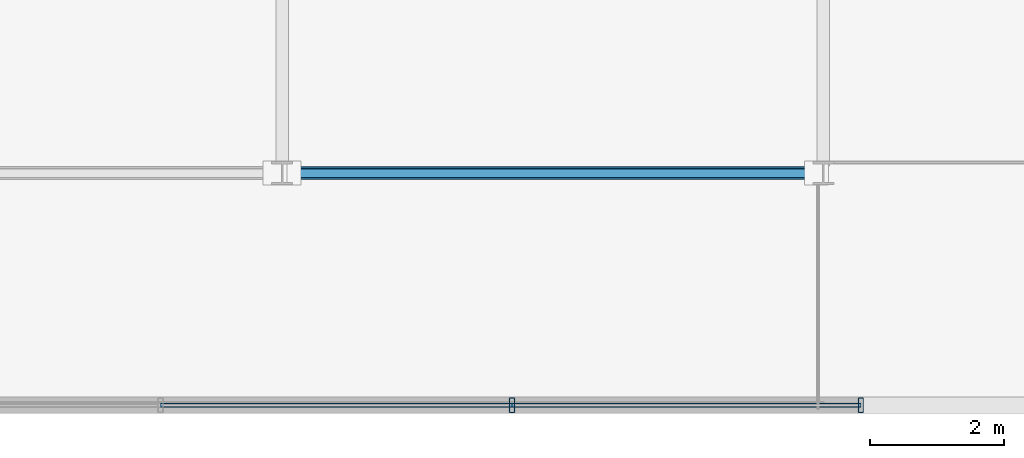
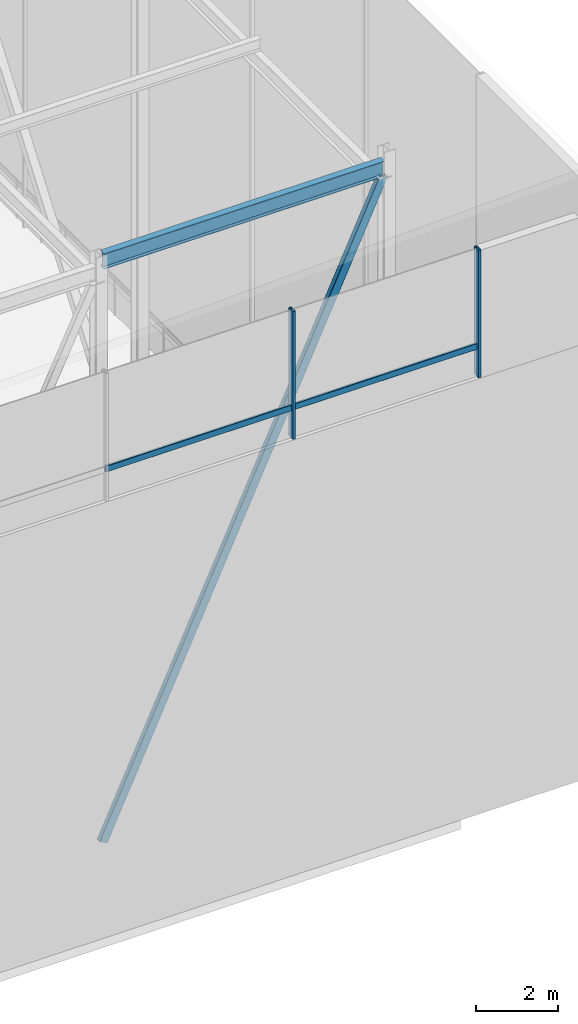
# One storey, part 25 of 39: 5 members, 1 beam, 1 element without a shape of its own.
"""IFC4 building model written with IfcOpenShell, lengths in metres."""

import ifcopenshell
import ifcopenshell.guid

model = None  # the IFC model being written
_history = None  # IfcOwnerHistory: only IFC2X3 demands one
_inside = {}  # id of a spatial element -> (the spatial element, [elements in it])
_under = {}  # id of a project, library or spatial element -> (it, [spatial elements below it])
_declared = {}  # id of a project -> (the project, [libraries it declares])
_typed = {}  # id of a type object -> (the type object, [elements of that type])
_made_of = {}  # id of a material, layer set ... -> (it, [elements and type objects made of it])


def new_model(schema):
    """Start an empty IFC model of exactly this schema.

    Asked for "IFC4X3", IfcOpenShell would pick the latest addendum, in which some entities
    have other attributes; the version numbers below select the first issue.
    IFC2X3 requires an IfcOwnerHistory on every rooted entity: one is made here for all.
    """
    global model, _history
    if schema == "IFC4X3":
        model = ifcopenshell.file(schema_version=(4, 3, 0, 0))
    else:
        model = ifcopenshell.file(schema=schema)
    _inside.clear()
    _under.clear()
    _declared.clear()
    _typed.clear()
    _made_of.clear()
    _history = None
    if model.schema == "IFC2X3":
        org = make("IfcOrganization", Name="unknown")
        user = make(
            "IfcPersonAndOrganization",
            ThePerson=make("IfcPerson", FamilyName="unknown"),
            TheOrganization=org,
        )
        app = make(
            "IfcApplication",
            ApplicationDeveloper=org,
            Version="unknown",
            ApplicationFullName="unknown",
            ApplicationIdentifier="unknown",
        )
        _history = make(
            "IfcOwnerHistory",
            OwningUser=user,
            OwningApplication=app,
            ChangeAction="ADDED",
            CreationDate=0,
        )
    return model


def make(cls, **values):
    """One entity of the class cls with the attributes given. An attribute that is None is left unset."""
    return model.create_entity(
        cls, **{name: value for name, value in values.items() if value is not None}
    )


def rooted(cls, **values):
    """An entity with a GlobalId (a new one), such as an element, a storey or a relation."""
    return make(cls, GlobalId=ifcopenshell.guid.new(), OwnerHistory=_history, **values)


def si_unit(unit_type, name, prefix=None):
    """IfcSIUnit, for example si_unit("LENGTHUNIT", "METRE", prefix="MILLI")."""
    return make("IfcSIUnit", UnitType=unit_type, Prefix=prefix, Name=name)


def assignment(units):
    """IfcUnitAssignment: the units of a project."""
    return None if units is None else make("IfcUnitAssignment", Units=units)


def point(xyz):
    """IfcCartesianPoint."""
    return None if xyz is None else make("IfcCartesianPoint", Coordinates=xyz)


def direction(xyz):
    """IfcDirection."""
    return None if xyz is None else make("IfcDirection", DirectionRatios=xyz)


def frame(location, z_axis=None, x_axis=None):
    """IfcAxis2Placement3D, a coordinate frame: its origin and axes. An axis left out is left unset."""
    return make(
        "IfcAxis2Placement3D",
        Location=point(location),
        Axis=direction(z_axis),
        RefDirection=direction(x_axis),
    )


def frame_2d(location, x_axis=None):
    """IfcAxis2Placement2D, a coordinate frame in the plane: its origin and x axis."""
    return make(
        "IfcAxis2Placement2D", Location=point(location), RefDirection=direction(x_axis)
    )


def origin():
    """The frame at (0, 0, 0) with its axes left unset."""
    return frame((0.0, 0.0, 0.0))


def origin_2d():
    """The frame at (0, 0) in the plane with its x axis left unset."""
    return frame_2d((0.0, 0.0))


def place(relative_to, where):
    """IfcLocalPlacement: puts the frame where relative to a parent placement (None: the world)."""
    return make(
        "IfcLocalPlacement", PlacementRelTo=relative_to, RelativePlacement=where
    )


def context(
    kind, dimensions, precision=None, world=None, true_north=None, identifier=None
):
    """IfcGeometricRepresentationContext, for example the 3D "Model" context."""
    return make(
        "IfcGeometricRepresentationContext",
        ContextIdentifier=identifier,
        ContextType=kind,
        CoordinateSpaceDimension=dimensions,
        Precision=precision,
        WorldCoordinateSystem=world,
        TrueNorth=true_north,
    )


def subcontext(parent, identifier, kind, view, scale=None):
    """IfcGeometricRepresentationSubContext, for example "Body" below "Model"."""
    return make(
        "IfcGeometricRepresentationSubContext",
        ContextIdentifier=identifier,
        ContextType=kind,
        ParentContext=parent,
        TargetScale=scale,
        TargetView=view,
    )


def project(units=None, contexts=None):
    """IfcProject with its units and contexts."""
    return rooted(
        "IfcProject",
        Name="project",
        RepresentationContexts=contexts,
        UnitsInContext=assignment(units),
    )


def spatial(cls, under=None, at=None, **own):
    """A site, building, storey or space (cls), placed at a placement, below another one or the project."""
    s = rooted(cls, ObjectPlacement=at, **own)
    if under is not None:
        _under.setdefault(under.id(), (under, []))[1].append(s)
    return s


def profile(cls, at=None, kind="AREA", **sizes):
    """A parametric profile (cls). Its sizes go by their IFC names, for example OverallWidth=200.0."""
    return make(cls, ProfileType=kind, Position=at, **sizes)


def hollow_rectangle(**sizes):
    """IfcRectangleHollowProfileDef."""
    return profile("IfcRectangleHollowProfileDef", **sizes)


def i_section(**sizes):
    """IfcIShapeProfileDef."""
    return profile("IfcIShapeProfileDef", **sizes)


def extrude(swept, where, along, depth):
    """IfcExtrudedAreaSolid: the profile swept, set in the frame where, extruded along a direction by depth."""
    return make(
        "IfcExtrudedAreaSolid",
        SweptArea=swept,
        Position=where,
        ExtrudedDirection=direction(along),
        Depth=depth,
    )


def shape(context_of_items, identifier, shape_type, items):
    """IfcShapeRepresentation: the items that make up one representation, for example the "Body"."""
    return make(
        "IfcShapeRepresentation",
        ContextOfItems=context_of_items,
        RepresentationIdentifier=identifier,
        RepresentationType=shape_type,
        Items=items,
    )


def material(Name=None, Category=None):
    """IfcMaterial."""
    return make("IfcMaterial", Name=Name, Category=Category)


def layer(
    of_material, thickness, ventilated=None, Name=None, Category=None, Priority=None
):
    """IfcMaterialLayer: one layer of a wall or slab, of a material (None: an air gap)."""
    return make(
        "IfcMaterialLayer",
        Material=of_material,
        LayerThickness=thickness,
        IsVentilated=ventilated,
        Name=Name,
        Category=Category,
        Priority=Priority,
    )


def layer_set(layers, Name=None):
    """IfcMaterialLayerSet."""
    return make("IfcMaterialLayerSet", MaterialLayers=layers, LayerSetName=Name)


def material_profile(
    of_material, cross_section, Name=None, Category=None, Priority=None
):
    """IfcMaterialProfile: a cross section and its material."""
    return make(
        "IfcMaterialProfile",
        Name=Name,
        Material=of_material,
        Profile=cross_section,
        Priority=Priority,
        Category=Category,
    )


def profile_set(profiles, Name=None, composite=None):
    """IfcMaterialProfileSet."""
    return make(
        "IfcMaterialProfileSet",
        Name=Name,
        MaterialProfiles=profiles,
        CompositeProfile=composite,
    )


def made_of(thing, what):
    """Note that an element or type object is made of a material, layer set ...; save() writes the relation."""
    if what is not None:
        _made_of.setdefault(what.id(), (what, []))[1].append(thing)
    return thing


def type_object(cls, material=None, **own):
    """A type object (cls), such as IfcWallType, which elements share."""
    return made_of(rooted(cls, **own), material)


def element(
    cls,
    number,
    at=None,
    inside=None,
    cuts=None,
    type_object=None,
    material=None,
    context=None,
    identifier="Body",
    shape_type=None,
    held_by="IfcProductDefinitionShape",
    body=None,
    shapes=None,
    **own,
):
    """One element of the class cls, such as IfcWall. Its Tag is "e" and its number.

    at: its placement. inside: the storey or other place that contains it. cuts: it is an
    opening in that element (IfcRelVoidsElement). A single representation is given by context,
    identifier, shape_type and body (its items); several are given by shapes. held_by: the class
    of the entity that holds the representations. save() writes the other relations.
    """
    e = rooted(cls, Tag="e%d" % number, ObjectPlacement=at, **own)
    if body is not None:
        shapes = [shape(context, identifier, shape_type, body)]
    if shapes is not None:
        e.Representation = make(held_by, Representations=shapes)
    if inside is not None:
        _inside.setdefault(inside.id(), (inside, []))[1].append(e)
    if cuts is not None:
        rooted(
            "IfcRelVoidsElement", RelatingBuildingElement=cuts, RelatedOpeningElement=e
        )
    if type_object is not None:
        _typed.setdefault(type_object.id(), (type_object, []))[1].append(e)
    return made_of(e, material)


def aggregate(whole, parts):
    """IfcRelAggregates: a whole, such as a stair, and the parts it consists of."""
    return rooted("IfcRelAggregates", RelatingObject=whole, RelatedObjects=parts)


def save(model, path):
    """Write the relations noted so far, then the file.

    IfcRelAggregates (storeys below a building ...), IfcRelContainedInSpatialStructure (elements
    in a storey), IfcRelDefinesByType, IfcRelAssociatesMaterial and IfcRelDeclares: one each for
    every whole, place, type object, material and project.
    """
    for whole, parts in _under.values():
        aggregate(whole, parts)
    for where, things in _inside.values():
        rooted(
            "IfcRelContainedInSpatialStructure",
            RelatedElements=things,
            RelatingStructure=where,
        )
    for kind, things in _typed.values():
        rooted("IfcRelDefinesByType", RelatedObjects=things, RelatingType=kind)
    for what, things in _made_of.values():
        rooted("IfcRelAssociatesMaterial", RelatedObjects=things, RelatingMaterial=what)
    for by, libraries in _declared.values():
        rooted("IfcRelDeclares", RelatingContext=by, RelatedDefinitions=libraries)
    model.write(path)


model = new_model("IFC4")

# Units and contexts
model_context = context("Model", 3, precision=1e-05, world=origin(), true_north=direction((0.0, 1.0)))
body_context = subcontext(model_context, "Body", "Model", "MODEL_VIEW")
ifc_project = project(units=[si_unit("LENGTHUNIT", "METRE"), si_unit("AREAUNIT", "SQUARE_METRE"), si_unit("VOLUMEUNIT", "CUBIC_METRE"), si_unit("PLANEANGLEUNIT", "RADIAN"), si_unit("MASSUNIT", "GRAM", prefix="KILO")], contexts=[model_context])

# Site, building, storey
site_placement = place(None, origin())
site = spatial("IfcSite", under=ifc_project, at=site_placement, CompositionType="ELEMENT")
building_placement = place(site_placement, origin())
building = spatial("IfcBuilding", under=site, at=building_placement, Name="Korimba Cascade Residences", CompositionType="ELEMENT")
storey_placement = place(building_placement, frame((0.0, 0.0, 264.199951171875)))
storey = spatial("IfcBuildingStorey", under=building, at=storey_placement, Name="RF", CompositionType="ELEMENT", Elevation=264.199951171875)

# Beam
ifc_material_1 = material(Name="Steel S355", Category="steel")
ifc_material_profile_1 = material_profile(ifc_material_1, i_section(OverallWidth=0.19140625, OverallDepth=0.4599609375, WebThickness=0.010009765625, FlangeThickness=0.01611328125, FilletRadius=0.01025390625, at=origin_2d()), Name="Steel S355")
ifc_profile_set_1 = profile_set([ifc_material_profile_1], Name="Steel S355")
beam_type = type_object("IfcBeamType", Name="BM-STL-UB457", PredefinedType="JOIST", material=ifc_profile_set_1)
beam_placement = place(storey_placement, frame((120.405029296875, 55.199951171875, 17.285400390625), z_axis=(1.0, 0.0, 0.0), x_axis=(0.0, 1.0, 0.0)))
element("IfcBeam", 1, at=beam_placement, inside=storey, type_object=beam_type, Name="RF Crown Cap Ring Beam E1.3", PredefinedType="JOIST", context=body_context, shape_type="SweptSolid", body=[
    extrude(i_section(OverallWidth=0.19140625, OverallDepth=0.4599609375, WebThickness=0.010009765625, FlangeThickness=0.01611328125, FilletRadius=0.01025390625, at=origin_2d()), origin(), (0.0, 0.0, 1.0), 7.889892578125),
])

# Curtain wall, members
ifc_material_2 = material(Name="Anodised Aluminium Curtain Wall Framing", Category="aluminium")
ifc_layer = layer(ifc_material_2, 0.179931640625)
ifc_layer_set = layer_set([ifc_layer], Name="Anodised Aluminium Curtain Wall Framing")
curtain_wall_type = type_object("IfcCurtainWallType", Name="CW-CRNW-SYS5", PredefinedType="NOTDEFINED", material=ifc_layer_set)
curtain_wall_placement = place(storey_placement, origin())
curtain_wall = element("IfcCurtainWall", 2, at=curtain_wall_placement, inside=storey, type_object=curtain_wall_type, Name="RF Curtain Wall CW-RF-CRN-E-3", PredefinedType="NOTDEFINED")
ifc_material_3 = material(Name="Anodised Aluminium Mullion", Category="aluminium")
ifc_material_profile_2 = material_profile(ifc_material_3, hollow_rectangle(XDim=0.080078125, YDim=0.219970703125, WallThickness=0.00634765625, InnerFilletRadius=0.00634765625, OuterFilletRadius=0.0126953125, at=origin_2d()), Name="Anodised Aluminium Mullion")
ifc_profile_set_2 = profile_set([ifc_material_profile_2], Name="Anodised Aluminium Mullion")
member_type_1 = type_object("IfcMemberType", Name="CWM-MUL-220", PredefinedType="MULLION", material=ifc_profile_set_2)
member_1_placement = place(storey_placement, frame((123.739990234375, 51.72509765625, 12.949951171875), z_axis=(0.0, 0.0, 1.0), x_axis=(1.0, 0.0, 0.0)))
member_1 = element("IfcMember", 3, at=member_1_placement, type_object=member_type_1, Name="CW-RF-CRN-E-3 Mullion 5", PredefinedType="MULLION", context=body_context, shape_type="SweptSolid", body=[
    extrude(hollow_rectangle(XDim=0.080078125, YDim=0.219970703125, WallThickness=0.00634765625, InnerFilletRadius=0.00634765625, OuterFilletRadius=0.0126953125, at=origin_2d()), origin(), (0.0, 0.0, 1.0), 3.800048828125),
])
member_2_placement = place(storey_placement, frame((128.9599609375, 51.72509765625, 12.949951171875), z_axis=(0.0, 0.0, 1.0), x_axis=(1.0, 0.0, 0.0)))
member_2 = element("IfcMember", 4, at=member_2_placement, type_object=member_type_1, Name="CW-RF-CRN-E-3 Mullion 6", PredefinedType="MULLION", context=body_context, shape_type="SweptSolid", body=[
    extrude(hollow_rectangle(XDim=0.080078125, YDim=0.219970703125, WallThickness=0.00634765625, InnerFilletRadius=0.00634765625, OuterFilletRadius=0.0126953125, at=origin_2d()), origin(), (0.0, 0.0, 1.0), 3.800048828125),
])
ifc_material_4 = material(Name="Anodised Aluminium Transom", Category="aluminium")
ifc_material_profile_3 = material_profile(ifc_material_4, hollow_rectangle(XDim=0.070068359375, YDim=0.179931640625, WallThickness=0.0048828125, InnerFilletRadius=0.0048828125, OuterFilletRadius=0.010009765625, at=origin_2d()), Name="Anodised Aluminium Transom")
ifc_profile_set_3 = profile_set([ifc_material_profile_3], Name="Anodised Aluminium Transom")
member_type_2 = type_object("IfcMemberType", Name="CWM-TRN-150", PredefinedType="USERDEFINED", material=ifc_profile_set_3)
member_3_placement = place(storey_placement, frame((118.47998046875, 51.72509765625, 13.85009765625), z_axis=(1.0, 0.0, 0.0), x_axis=(0.0, 1.0, 0.0)))
member_3 = element("IfcMember", 5, at=member_3_placement, type_object=member_type_2, Name="CW-RF-CRN-E-3 Transom 4", ObjectType="TRANSOM", PredefinedType="USERDEFINED", context=body_context, shape_type="SweptSolid", body=[
    extrude(hollow_rectangle(XDim=0.070068359375, YDim=0.179931640625, WallThickness=0.0048828125, InnerFilletRadius=0.0048828125, OuterFilletRadius=0.010009765625, at=origin_2d()), origin(), (0.0, 0.0, 1.0), 5.260009765625),
])
member_4_placement = place(storey_placement, frame((123.739990234375, 51.72509765625, 13.85009765625), z_axis=(1.0, 0.0, 0.0), x_axis=(0.0, 1.0, 0.0)))
member_4 = element("IfcMember", 6, at=member_4_placement, type_object=member_type_2, Name="CW-RF-CRN-E-3 Transom 5", ObjectType="TRANSOM", PredefinedType="USERDEFINED", context=body_context, shape_type="SweptSolid", body=[
    extrude(hollow_rectangle(XDim=0.070068359375, YDim=0.179931640625, WallThickness=0.0048828125, InnerFilletRadius=0.0048828125, OuterFilletRadius=0.010009765625, at=origin_2d()), origin(), (0.0, 0.0, 1.0), 5.219970703125),
])
aggregate(curtain_wall, [member_1, member_2, member_3, member_4])

# Member
ifc_material_profile_4 = material_profile(ifc_material_1, hollow_rectangle(XDim=0.14990234375, YDim=0.25, WallThickness=0.009033203125, InnerFilletRadius=0.009033203125, OuterFilletRadius=0.01806640625, at=origin_2d()), Name="Steel S355")
ifc_profile_set_4 = profile_set([ifc_material_profile_4], Name="Steel S355")
member_type_3 = type_object("IfcMemberType", Name="MEM-CRN-RHS250", PredefinedType="BRACE", material=ifc_profile_set_4)
member_5_placement = place(storey_placement, frame((120.405029296875, 55.199951171875, 0.0), z_axis=(0.419735911952, 0.0, 0.907646277036), x_axis=(0.0, 1.0, 0.0)))
element("IfcMember", 7, at=member_5_placement, inside=storey, type_object=member_type_3, Name="RF CROWN FRAME Diagonal Brace E1.3", PredefinedType="BRACE", context=body_context, shape_type="SweptSolid", body=[
    extrude(hollow_rectangle(XDim=0.14990234375, YDim=0.25, WallThickness=0.009033203125, InnerFilletRadius=0.009033203125, OuterFilletRadius=0.01806640625, at=origin_2d()), origin(), (0.0, 0.0, 1.0), 18.79736328125),
])

save(model, "model.ifc")
